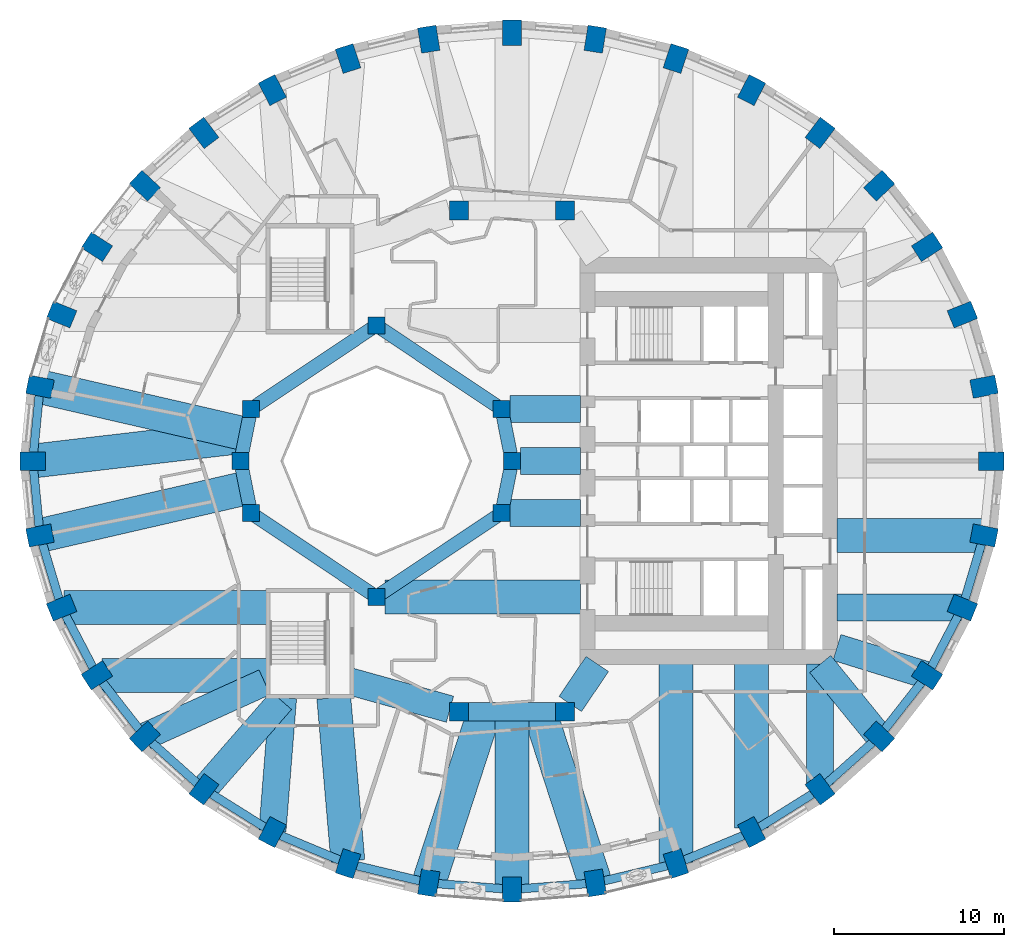
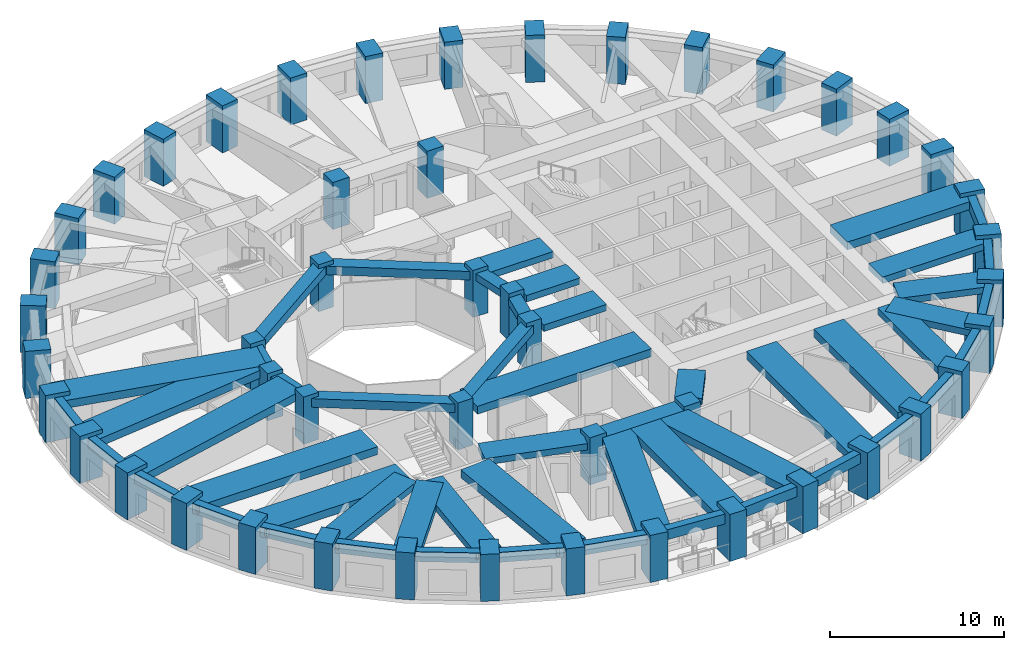
# One storey, part 1 of 13: 52 beams, 48 columns.
"""IFC4 building model written with IfcOpenShell, lengths in metres."""

from ifc_helpers import new_model, si_unit, direction, frame, origin, origin_2d, place, context, subcontext, project, spatial, rectangle, extrude, material, material_profile, profile_set, type_object, element, save


model = new_model("IFC4")

# Units and contexts
model_context = context("Model", 3, precision=1e-05, world=origin(), true_north=direction((0.0, 1.0)))
body_context = subcontext(model_context, "Body", "Model", "MODEL_VIEW")
ifc_project = project(units=[si_unit("LENGTHUNIT", "METRE"), si_unit("AREAUNIT", "SQUARE_METRE"), si_unit("VOLUMEUNIT", "CUBIC_METRE"), si_unit("PLANEANGLEUNIT", "RADIAN"), si_unit("MASSUNIT", "GRAM", prefix="KILO")], contexts=[model_context])

# Site, building, storey
site_placement = place(None, origin())
site = spatial("IfcSite", under=ifc_project, at=site_placement, CompositionType="ELEMENT")
building_placement = place(site_placement, origin())
building = spatial("IfcBuilding", under=site, at=building_placement, Name="Taillehof Tower", CompositionType="ELEMENT")
storey_placement = place(building_placement, frame((0.0, 0.0, 34.89990234375)))
storey = spatial("IfcBuildingStorey", under=building, at=storey_placement, Name="L08", CompositionType="ELEMENT", Elevation=34.89990234375)

# Columns
ifc_material_1 = material(Name="Concrete C50/60", Category="concrete")
ifc_material_profile_1 = material_profile(ifc_material_1, rectangle(XDim=1.0, YDim=1.0, at=origin_2d()), Name="RC 1000x1000")
ifc_profile_set_1 = profile_set([ifc_material_profile_1], Name="Concrete C50/60")
column_type_1 = type_object("IfcColumnType", Name="Atrium ring column C50/60 1000x1000", PredefinedType="COLUMN", material=ifc_profile_set_1)
for number, where, z_axis, x_axis, name in (
    (1, (0.0, 0.0, 0.0), (0.0, 0.0, 1.0), (1.0, 0.0, 0.0), "Column AC01"),
    (2, (-8.0, 8.0, 0.0), (0.0, 0.0, 1.0), (1.0, 0.0, 0.0), "Column AC05"),
    (3, (-15.39111328125, 3.0615234375, 0.0), (0.0, 0.0, 1.0), (1.0, 0.0, 0.0), "Column AC08"),
    (4, (-16.0, 0.0, 0.0), (0.0, 0.0, 1.0), (1.0, 0.0, 0.0), "Column AC09"),
    (5, (-15.39111328125, -3.0615234375, 0.0), (0.0, 0.0, 1.0), (1.0, 0.0, 0.0), "Column AC10"),
    (6, (-8.0, -8.0, 0.0), (0.0, 0.0, 1.0), (1.0, 0.0, 0.0), "Column AC13"),
):
    element("IfcColumn", number, at=place(storey_placement, frame(where, z_axis=z_axis, x_axis=x_axis)), inside=storey, type_object=column_type_1, Name=name, PredefinedType="COLUMN", context=body_context, shape_type="SweptSolid", body=[
        extrude(rectangle(XDim=1.0, YDim=1.0, at=origin_2d()), origin(), (0.0, 0.0, 1.0), 3.300048828125),
    ])
ifc_material_2 = material(Name="Concrete C60/75", Category="concrete")
ifc_material_profile_2 = material_profile(ifc_material_2, rectangle(XDim=1.0, YDim=1.0, at=origin_2d()), Name="RC 1000x1000")
ifc_profile_set_2 = profile_set([ifc_material_profile_2], Name="Concrete C60/75")
column_type_2 = type_object("IfcColumnType", Name="Atrium ring column C60/75 1000x1000", PredefinedType="COLUMN", material=ifc_profile_set_2)
for number, where, z_axis, x_axis, name in (
    (7, (-0.60888671875, 3.0615234375, 0.0), (0.0, 0.0, 1.0), (1.0, 0.0, 0.0), "Column AC02"),
    (8, (-0.60888671875, -3.0615234375, 0.0), (0.0, 0.0, 1.0), (1.0, 0.0, 0.0), "Column AC16"),
):
    element("IfcColumn", number, at=place(storey_placement, frame(where, z_axis=z_axis, x_axis=x_axis)), inside=storey, type_object=column_type_2, Name=name, PredefinedType="COLUMN", context=body_context, shape_type="SweptSolid", body=[
        extrude(rectangle(XDim=1.0, YDim=1.0, at=origin_2d()), origin(), (0.0, 0.0, 1.0), 3.300048828125),
    ])
ifc_material_3 = material(Name="Concrete C60/75", Category="concrete")
ifc_material_profile_3 = material_profile(ifc_material_3, rectangle(XDim=1.10009765625, YDim=1.10009765625, at=origin_2d()), Name="RC 1100x1100")
ifc_profile_set_3 = profile_set([ifc_material_profile_3], Name="Concrete C60/75")
column_type_3 = type_object("IfcColumnType", Name="Mid-ring column C60/75 1100x1100", PredefinedType="COLUMN", material=ifc_profile_set_3)
for number, where, z_axis, x_axis, name in (
    (9, (3.125732421875, 14.772216796875, 0.0), (0.0, 0.0, 1.0), (1.0, 0.0, 0.0), "Column MC05"),
    (10, (3.125732421875, -14.772216796875, 0.0), (0.0, 0.0, 1.0), (1.0, 0.0, 0.0), "Column MC15"),
):
    element("IfcColumn", number, at=place(storey_placement, frame(where, z_axis=z_axis, x_axis=x_axis)), inside=storey, type_object=column_type_3, Name=name, PredefinedType="COLUMN", context=body_context, shape_type="SweptSolid", body=[
        extrude(rectangle(XDim=1.10009765625, YDim=1.10009765625, at=origin_2d()), origin(), (0.0, 0.0, 1.0), 3.300048828125),
    ])
ifc_material_4 = material(Name="Concrete C80/95", Category="concrete")
ifc_material_profile_4 = material_profile(ifc_material_4, rectangle(XDim=1.10009765625, YDim=1.10009765625, at=origin_2d()), Name="RC 1100x1100")
ifc_profile_set_4 = profile_set([ifc_material_profile_4], Name="Concrete C80/95")
column_type_4 = type_object("IfcColumnType", Name="Mid-ring column C80/95 1100x1100", PredefinedType="COLUMN", material=ifc_profile_set_4)
for number, where, z_axis, x_axis, name in (
    (11, (-3.125732421875, 14.772216796875, 0.0), (0.0, 0.0, 1.0), (1.0, 0.0, 0.0), "Column MC06"),
    (12, (-3.125732421875, -14.772216796875, 0.0), (0.0, 0.0, 1.0), (1.0, 0.0, 0.0), "Column MC14"),
):
    element("IfcColumn", number, at=place(storey_placement, frame(where, z_axis=z_axis, x_axis=x_axis)), inside=storey, type_object=column_type_4, Name=name, PredefinedType="COLUMN", context=body_context, shape_type="SweptSolid", body=[
        extrude(rectangle(XDim=1.10009765625, YDim=1.10009765625, at=origin_2d()), origin(), (0.0, 0.0, 1.0), 3.300048828125),
    ])
ifc_material_5 = material(Name="Concrete C70/85", Category="concrete")
ifc_material_profile_5 = material_profile(ifc_material_5, rectangle(XDim=1.5, YDim=1.10009765625, at=origin_2d()), Name="RC 1500x1100")
ifc_profile_set_5 = profile_set([ifc_material_profile_5], Name="Concrete C70/85")
column_type_5 = type_object("IfcColumnType", Name="Ring column C70/85 1500x1100", PredefinedType="COLUMN", material=ifc_profile_set_5)
for number, where, z_axis, x_axis, name in (
    (13, (28.25, 0.0, 0.0), (0.0, 0.0, 1.0), (1.0, 0.0, 0.0), "Ring column RC01"),
    (14, (27.82080078125, 4.384521484375, 0.0), (0.0, 0.0, 1.0), (0.98120354895, 0.192975634545, 0.0), "Ring column RC02"),
    (15, (26.54638671875, 8.635986328125, 0.0), (0.0, 0.0, 1.0), (0.926558045297, 0.37615181602, 0.0), "Ring column RC03"),
    (16, (24.46533203125, 12.625, 0.0), (0.0, 0.0, 1.0), (0.840753565229, 0.541417992456, 0.0), "Ring column RC04"),
    (17, (21.640869140625, 16.23046875, 0.0), (0.0, 0.0, 1.0), (0.730113022917, 0.683326403535, 0.0), "Ring column RC05"),
    (18, (18.15869140625, 19.342529296875, 0.0), (0.0, 0.0, 1.0), (0.601173783055, 0.79911831575, 0.0), "Ring column RC06"),
    (19, (14.125, 21.8671875, 0.0), (0.0, 0.0, 1.0), (0.459691308511, 0.888078769524, 0.0), "Ring column RC07"),
    (20, (9.662109375, 23.727294921875, 0.0), (0.0, 0.0, 1.0), (0.310219183529, 0.950665060981, 0.0), "Ring column RC08"),
    (21, (4.905517578125, 24.866455078125, 0.0), (0.0, 0.0, 1.0), (0.15614709407, 0.987733812833, 0.0), "Ring column RC09"),
    (22, (0.0, 25.25, 0.0), (0.0, 0.0, 1.0), (0.0, 1.0, 0.0), "Ring column RC10"),
    (23, (-4.905517578125, 24.866455078125, 0.0), (0.0, 0.0, 1.0), (-0.15614709407, 0.987733812833, 0.0), "Ring column RC11"),
    (24, (-9.662109375, 23.727294921875, 0.0), (0.0, 0.0, 1.0), (-0.310219183529, 0.950665060981, 0.0), "Ring column RC12"),
    (25, (-14.125, 21.8671875, 0.0), (0.0, 0.0, 1.0), (-0.459691308511, 0.888078769524, 0.0), "Ring column RC13"),
    (26, (-18.15869140625, 19.342529296875, 0.0), (0.0, 0.0, 1.0), (-0.601173783055, 0.79911831575, 0.0), "Ring column RC14"),
    (27, (-21.640869140625, 16.23046875, 0.0), (0.0, 0.0, 1.0), (-0.730113022917, 0.683326403535, 0.0), "Ring column RC15"),
    (28, (-24.46533203125, 12.625, 0.0), (0.0, 0.0, 1.0), (-0.840753565229, 0.541417992456, 0.0), "Ring column RC16"),
    (29, (-26.54638671875, 8.635986328125, 0.0), (0.0, 0.0, 1.0), (-0.926558045297, 0.37615181602, 0.0), "Ring column RC17"),
    (30, (-27.82080078125, 4.384521484375, 0.0), (0.0, 0.0, 1.0), (-0.98120354895, 0.192975634545, 0.0), "Ring column RC18"),
    (31, (-28.25, 0.0, 0.0), (0.0, 0.0, 1.0), (-1.0, 0.0, 0.0), "Ring column RC19"),
    (32, (-27.82080078125, -4.384521484375, 0.0), (0.0, 0.0, 1.0), (-0.98120354895, -0.192975634545, 0.0), "Ring column RC20"),
    (33, (-26.54638671875, -8.635986328125, 0.0), (0.0, 0.0, 1.0), (-0.926558045297, -0.37615181602, 0.0), "Ring column RC21"),
    (34, (-24.46533203125, -12.625, 0.0), (0.0, 0.0, 1.0), (-0.840753565229, -0.541417992456, 0.0), "Ring column RC22"),
    (35, (-21.640869140625, -16.23046875, 0.0), (0.0, 0.0, 1.0), (-0.730113022917, -0.683326403535, 0.0), "Ring column RC23"),
    (36, (-18.15869140625, -19.342529296875, 0.0), (0.0, 0.0, 1.0), (-0.601173783055, -0.79911831575, 0.0), "Ring column RC24"),
    (37, (-14.125, -21.8671875, 0.0), (0.0, 0.0, 1.0), (-0.459691308511, -0.888078769524, 0.0), "Ring column RC25"),
    (38, (-9.662109375, -23.727294921875, 0.0), (0.0, 0.0, 1.0), (-0.310219183529, -0.950665060981, 0.0), "Ring column RC26"),
    (39, (-4.905517578125, -24.866455078125, 0.0), (0.0, 0.0, 1.0), (-0.15614709407, -0.987733812833, 0.0), "Ring column RC27"),
    (40, (0.0, -25.25, 0.0), (0.0, 0.0, 1.0), (0.0, -1.0, 0.0), "Ring column RC28"),
    (41, (4.905517578125, -24.866455078125, 0.0), (0.0, 0.0, 1.0), (0.15614709407, -0.987733812833, 0.0), "Ring column RC29"),
    (42, (9.662109375, -23.727294921875, 0.0), (0.0, 0.0, 1.0), (0.310219183529, -0.950665060981, 0.0), "Ring column RC30"),
    (43, (14.125, -21.8671875, 0.0), (0.0, 0.0, 1.0), (0.459691308511, -0.888078769524, 0.0), "Ring column RC31"),
    (44, (18.15869140625, -19.342529296875, 0.0), (0.0, 0.0, 1.0), (0.601173783055, -0.79911831575, 0.0), "Ring column RC32"),
    (45, (21.640869140625, -16.23046875, 0.0), (0.0, 0.0, 1.0), (0.730113022917, -0.683326403535, 0.0), "Ring column RC33"),
    (46, (24.46533203125, -12.625, 0.0), (0.0, 0.0, 1.0), (0.840753565229, -0.541417992456, 0.0), "Ring column RC34"),
    (47, (26.54638671875, -8.635986328125, 0.0), (0.0, 0.0, 1.0), (0.926558045297, -0.37615181602, 0.0), "Ring column RC35"),
    (48, (27.82080078125, -4.384521484375, 0.0), (0.0, 0.0, 1.0), (0.98120354895, -0.192975634545, 0.0), "Ring column RC36"),
):
    element("IfcColumn", number, at=place(storey_placement, frame(where, z_axis=z_axis, x_axis=x_axis)), inside=storey, type_object=column_type_5, Name=name, PredefinedType="COLUMN", context=body_context, shape_type="SweptSolid", body=[
        extrude(rectangle(XDim=1.5, YDim=1.10009765625, at=origin_2d()), origin(), (0.0, 0.0, 1.0), 3.300048828125),
    ])

# Beams
ifc_material_6 = material(Name="Concrete C50/60", Category="concrete")
ifc_material_profile_6 = material_profile(ifc_material_6, rectangle(XDim=0.800048828125, YDim=0.5, at=origin_2d()), Name="RC 800x500")
ifc_profile_set_6 = profile_set([ifc_material_profile_6], Name="Concrete C50/60")
beam_type_1 = type_object("IfcBeamType", Name="Atrium ring beam C50/60 800x500", PredefinedType="BEAM", material=ifc_profile_set_6)
for number, where, z_axis, x_axis, name in (
    (49, (0.0, 0.0, 2.77001953125), (-0.195063155143, 0.980790683839, 0.0), (-0.980790683839, -0.195063155143, 0.0), "Atrium ring beam AB01"),
    (50, (-15.39111328125, 3.0615234375, 2.77001953125), (-0.195063155143, -0.980790683839, 0.0), (0.980790683839, -0.195063155143, 0.0), "Atrium ring beam AB04"),
    (51, (-16.0, 0.0, 2.77001953125), (0.195063155143, -0.980790683839, 0.0), (0.980790683839, 0.195063155143, 0.0), "Atrium ring beam AB05"),
    (52, (-0.60888671875, -3.0615234375, 2.77001953125), (0.195063155143, 0.980790683839, 0.0), (-0.980790683839, 0.195063155143, 0.0), "Atrium ring beam AB08"),
):
    element("IfcBeam", number, at=place(storey_placement, frame(where, z_axis=z_axis, x_axis=x_axis)), inside=storey, type_object=beam_type_1, Name=name, PredefinedType="BEAM", context=body_context, shape_type="SweptSolid", body=[
        extrude(rectangle(XDim=0.800048828125, YDim=0.5, at=origin_2d()), origin(), (0.0, 0.0, 1.0), 3.12158203125),
    ])
ifc_material_7 = material(Name="Concrete C50/60", Category="concrete")
ifc_material_profile_7 = material_profile(ifc_material_7, rectangle(XDim=0.800048828125, YDim=0.60009765625, at=origin_2d()), Name="RC 800x600")
ifc_profile_set_7 = profile_set([ifc_material_profile_7], Name="Concrete C50/60")
beam_type_2 = type_object("IfcBeamType", Name="Atrium ring beam C50/60 800x600", PredefinedType="BEAM", material=ifc_profile_set_7)
for number, where, z_axis, x_axis, name in (
    (53, (-0.60888671875, 3.0615234375, 2.72021484375), (-0.831475195687, 0.555561876804, 0.0), (-0.555561876804, -0.831475195687, 0.0), "Atrium ring beam AB02"),
    (54, (-8.0, 8.0, 2.72021484375), (-0.831475195687, -0.555561876804, 0.0), (0.555561876804, -0.831475195687, 0.0), "Atrium ring beam AB03"),
    (55, (-15.39111328125, -3.0615234375, 2.72021484375), (0.831475195687, -0.555561876804, 0.0), (0.555561876804, 0.831475195687, 0.0), "Atrium ring beam AB06"),
    (56, (-8.0, -8.0, 2.72021484375), (0.831475195687, 0.555561876804, 0.0), (-0.555561876804, 0.831475195687, 0.0), "Atrium ring beam AB07"),
):
    element("IfcBeam", number, at=place(storey_placement, frame(where, z_axis=z_axis, x_axis=x_axis)), inside=storey, type_object=beam_type_2, Name=name, PredefinedType="BEAM", context=body_context, shape_type="SweptSolid", body=[
        extrude(rectangle(XDim=0.800048828125, YDim=0.60009765625, at=origin_2d()), origin(), (0.0, 0.0, 1.0), 8.88916015625),
    ])
ifc_material_8 = material(Name="Concrete C50/60", Category="concrete")
ifc_material_profile_8 = material_profile(ifc_material_8, rectangle(XDim=1.10009765625, YDim=0.60009765625, at=origin_2d()), Name="RC 1100x600")
ifc_profile_set_8 = profile_set([ifc_material_profile_8], Name="Concrete C50/60")
beam_type_3 = type_object("IfcBeamType", Name="Mid-ring beam C50/60 1100x600", PredefinedType="BEAM", material=ifc_profile_set_8)
beam_1_placement = place(storey_placement, frame((-3.125732421875, -14.772216796875, 2.72021484375), z_axis=(1.0, 0.0, 0.0), x_axis=(0.0, 1.0, 0.0)))
element("IfcBeam", 57, at=beam_1_placement, inside=storey, type_object=beam_type_3, Name="Mid-ring beam MB02", PredefinedType="BEAM", context=body_context, shape_type="SweptSolid", body=[
    extrude(rectangle(XDim=1.10009765625, YDim=0.60009765625, at=origin_2d()), origin(), (0.0, 0.0, 1.0), 6.25146484375),
])
ifc_material_9 = material(Name="Concrete C50/60", Category="concrete")
ifc_material_profile_9 = material_profile(ifc_material_9, rectangle(XDim=1.60009765625, YDim=0.449951171875, at=origin_2d()), Name="RC 1600x450")
ifc_profile_set_9 = profile_set([ifc_material_profile_9], Name="Concrete C50/60")
beam_type_4 = type_object("IfcBeamType", Name="Radial band beam C50/60 1600x450", PredefinedType="BEAM", material=ifc_profile_set_9)
beam_2_placement = place(storey_placement, frame((-21.632568359375, -16.226806640625, 2.795166015625), z_axis=(0.911100590789, 0.412184077161, 0.0), x_axis=(-0.412184077161, 0.911100590789, 0.0)))
element("IfcBeam", 58, at=beam_2_placement, inside=storey, type_object=beam_type_4, Name="Radial band beam RB23", PredefinedType="BEAM", context=body_context, shape_type="SweptSolid", body=[
    extrude(rectangle(XDim=1.60009765625, YDim=0.449951171875, at=origin_2d()), origin(), (0.0, 0.0, 1.0), 7.740966796875),
])
beam_3_placement = place(storey_placement, frame((-18.15869140625, -19.342529296875, 2.795166015625), z_axis=(0.65721824087, 0.753700327628, 0.0), x_axis=(-0.753700327628, 0.65721824087, 0.0)))
element("IfcBeam", 59, at=beam_3_placement, inside=storey, type_object=beam_type_4, Name="Radial band beam RB24", PredefinedType="BEAM", context=body_context, shape_type="SweptSolid", body=[
    extrude(rectangle(XDim=1.60009765625, YDim=0.449951171875, at=origin_2d()), origin(), (0.0, 0.0, 1.0), 6.9384765625),
])
beam_4_placement = place(storey_placement, frame((-14.119873046875, -21.802978515625, 2.795166015625), z_axis=(0.079184740988, 0.996859958467, 0.0), x_axis=(-0.996859958467, 0.079184740988, 0.0)))
element("IfcBeam", 60, at=beam_4_placement, inside=storey, type_object=beam_type_4, Name="Radial band beam RB25", PredefinedType="BEAM", context=body_context, shape_type="SweptSolid", body=[
    extrude(rectangle(XDim=1.60009765625, YDim=0.449951171875, at=origin_2d()), origin(), (0.0, 0.0, 1.0), 7.87744140625),
])
beam_5_placement = place(storey_placement, frame((18.15869140625, -19.05517578125, 2.795166015625), z_axis=(0.0, 1.0, 0.0), x_axis=(-1.0, 0.0, 0.0)))
element("IfcBeam", 61, at=beam_5_placement, inside=storey, type_object=beam_type_4, Name="Radial band beam RB32", PredefinedType="BEAM", context=body_context, shape_type="SweptSolid", body=[
    extrude(rectangle(XDim=1.60009765625, YDim=0.449951171875, at=origin_2d()), origin(), (0.0, 0.0, 1.0), 7.105224609375),
])
beam_6_placement = place(storey_placement, frame((21.640869140625, -16.23046875, 2.795166015625), z_axis=(-0.630988373846, 0.775792286679, 0.0), x_axis=(-0.775792286679, -0.630988373846, 0.0)))
element("IfcBeam", 62, at=beam_6_placement, inside=storey, type_object=beam_type_4, Name="Radial band beam RB33", PredefinedType="BEAM", context=body_context, shape_type="SweptSolid", body=[
    extrude(rectangle(XDim=1.60009765625, YDim=0.449951171875, at=origin_2d()), origin(), (0.0, 0.0, 1.0), 5.503173828125),
])
beam_7_placement = place(storey_placement, frame((24.46533203125, -12.625, 2.795166015625), z_axis=(-0.955535654338, 0.294875589511, 0.0), x_axis=(-0.294875589511, -0.955535654338, 0.0)))
element("IfcBeam", 63, at=beam_7_placement, inside=storey, type_object=beam_type_4, Name="Radial band beam RB34", PredefinedType="BEAM", context=body_context, shape_type="SweptSolid", body=[
    extrude(rectangle(XDim=1.60009765625, YDim=0.449951171875, at=origin_2d()), origin(), (0.0, 0.0, 1.0), 5.560546875),
])
beam_8_placement = place(storey_placement, frame((26.490478515625, -8.635986328125, 2.795166015625), z_axis=(-1.0, 0.0, 0.0), x_axis=(0.0, -1.0, 0.0)))
element("IfcBeam", 64, at=beam_8_placement, inside=storey, type_object=beam_type_4, Name="Radial band beam RB35", PredefinedType="BEAM", context=body_context, shape_type="SweptSolid", body=[
    extrude(rectangle(XDim=1.60009765625, YDim=0.449951171875, at=origin_2d()), origin(), (0.0, 0.0, 1.0), 7.340576171875),
])
beam_9_placement = place(storey_placement, frame((0.5, 0.0, 2.795166015625), z_axis=(1.0, 0.0, 0.0), x_axis=(0.0, 1.0, 0.0)))
element("IfcBeam", 65, at=beam_9_placement, inside=storey, type_object=beam_type_4, Name="Inner band beam IB101", PredefinedType="BEAM", context=body_context, shape_type="SweptSolid", body=[
    extrude(rectangle(XDim=1.60009765625, YDim=0.449951171875, at=origin_2d()), origin(), (0.0, 0.0, 1.0), 3.550048828125),
])
for number, where, z_axis, x_axis, name in (
    (66, (-0.10888671875, 3.0615234375, 2.795166015625), (1.0, 0.0, 0.0), (0.0, 1.0, 0.0), "Inner band beam IB102"),
    (67, (-0.10888671875, -3.0615234375, 2.795166015625), (1.0, 0.0, 0.0), (0.0, 1.0, 0.0), "Inner band beam IB116"),
):
    element("IfcBeam", number, at=place(storey_placement, frame(where, z_axis=z_axis, x_axis=x_axis)), inside=storey, type_object=beam_type_4, Name=name, PredefinedType="BEAM", context=body_context, shape_type="SweptSolid", body=[
        extrude(rectangle(XDim=1.60009765625, YDim=0.449951171875, at=origin_2d()), origin(), (0.0, 0.0, 1.0), 4.158935546875),
    ])
beam_10_placement = place(storey_placement, frame((-3.655517578125, -14.624755859375, 2.795166015625), z_axis=(-0.963459369536, 0.267854518821, 0.0), x_axis=(-0.267854518821, -0.963459369536, 0.0)))
element("IfcBeam", 68, at=beam_10_placement, inside=storey, type_object=beam_type_4, Name="Inner band beam IB214", PredefinedType="BEAM", context=body_context, shape_type="SweptSolid", body=[
    extrude(rectangle(XDim=1.60009765625, YDim=0.449951171875, at=origin_2d()), origin(), (0.0, 0.0, 1.0), 6.096923828125),
])
beam_11_placement = place(storey_placement, frame((3.433837890625, -14.31640625, 2.795166015625), z_axis=(0.560112043398, 0.828416862962, 0.0), x_axis=(-0.828416862962, 0.560112043398, 0.0)))
element("IfcBeam", 69, at=beam_11_placement, inside=storey, type_object=beam_type_4, Name="Inner band beam IB215", PredefinedType="BEAM", context=body_context, shape_type="SweptSolid", body=[
    extrude(rectangle(XDim=1.60009765625, YDim=0.449951171875, at=origin_2d()), origin(), (0.0, 0.0, 1.0), 2.84619140625),
])
ifc_material_10 = material(Name="Concrete C50/60", Category="concrete")
ifc_material_profile_10 = material_profile(ifc_material_10, rectangle(XDim=2.0, YDim=0.550048828125, at=origin_2d()), Name="RC 2000x550")
ifc_profile_set_10 = profile_set([ifc_material_profile_10], Name="Concrete C50/60")
beam_type_5 = type_object("IfcBeamType", Name="Radial band beam C50/60 2000x550", PredefinedType="BEAM", material=ifc_profile_set_10)
beam_12_placement = place(storey_placement, frame((-27.82080078125, 4.384521484375, 2.7451171875), z_axis=(0.974509005862, -0.2243483842, 0.0), x_axis=(0.2243483842, 0.974509005862, 0.0)))
element("IfcBeam", 70, at=beam_12_placement, inside=storey, type_object=beam_type_5, Name="Radial band beam RB18", PredefinedType="BEAM", context=body_context, shape_type="SweptSolid", body=[
    extrude(rectangle(XDim=2.0, YDim=0.550048828125, at=origin_2d()), origin(), (0.0, 0.0, 1.0), 12.45458984375),
])
beam_13_placement = place(storey_placement, frame((-28.25, 0.0, 2.7451171875), z_axis=(0.993191188018, 0.11649576835, 0.0), x_axis=(-0.11649576835, 0.993191188018, 0.0)))
element("IfcBeam", 71, at=beam_13_placement, inside=storey, type_object=beam_type_5, Name="Radial band beam RB19", PredefinedType="BEAM", context=body_context, shape_type="SweptSolid", body=[
    extrude(rectangle(XDim=2.0, YDim=0.550048828125, at=origin_2d()), origin(), (0.0, 0.0, 1.0), 12.628662109375),
])
beam_14_placement = place(storey_placement, frame((-27.82080078125, -4.384521484375, 2.7451171875), z_axis=(0.974509005862, 0.2243483842, 0.0), x_axis=(-0.2243483842, 0.974509005862, 0.0)))
element("IfcBeam", 72, at=beam_14_placement, inside=storey, type_object=beam_type_5, Name="Radial band beam RB20", PredefinedType="BEAM", context=body_context, shape_type="SweptSolid", body=[
    extrude(rectangle(XDim=2.0, YDim=0.550048828125, at=origin_2d()), origin(), (0.0, 0.0, 1.0), 12.45458984375),
])
beam_15_placement = place(storey_placement, frame((-26.408935546875, -8.635986328125, 2.7451171875), z_axis=(1.0, 0.0, 0.0), x_axis=(0.0, 1.0, 0.0)))
element("IfcBeam", 73, at=beam_15_placement, inside=storey, type_object=beam_type_5, Name="Radial band beam RB21", PredefinedType="BEAM", context=body_context, shape_type="SweptSolid", body=[
    extrude(rectangle(XDim=2.0, YDim=0.550048828125, at=origin_2d()), origin(), (0.0, 0.0, 1.0), 11.958984375),
])
beam_16_placement = place(storey_placement, frame((-24.172607421875, -12.625, 2.7451171875), z_axis=(1.0, 0.0, 0.0), x_axis=(0.0, 1.0, 0.0)))
element("IfcBeam", 74, at=beam_16_placement, inside=storey, type_object=beam_type_5, Name="Radial band beam RB22", PredefinedType="BEAM", context=body_context, shape_type="SweptSolid", body=[
    extrude(rectangle(XDim=2.0, YDim=0.550048828125, at=origin_2d()), origin(), (0.0, 0.0, 1.0), 9.72265625),
])
beam_17_placement = place(storey_placement, frame((-9.675048828125, -23.575927734375, 2.7451171875), z_axis=(-0.085841202752, 0.996308831593, 0.0), x_axis=(-0.996308831593, -0.085841202752, 0.0)))
element("IfcBeam", 75, at=beam_17_placement, inside=storey, type_object=beam_type_5, Name="Radial band beam RB26", PredefinedType="BEAM", context=body_context, shape_type="SweptSolid", body=[
    extrude(rectangle(XDim=2.0, YDim=0.550048828125, at=origin_2d()), origin(), (0.0, 0.0, 1.0), 9.661376953125),
])
beam_18_placement = place(storey_placement, frame((-4.905517578125, -24.866455078125, 2.7451171875), z_axis=(0.309014294595, 0.951057393503, 0.0), x_axis=(-0.951057393503, 0.309014294595, 0.0)))
element("IfcBeam", 76, at=beam_18_placement, inside=storey, type_object=beam_type_5, Name="Radial band beam RB27", PredefinedType="BEAM", context=body_context, shape_type="SweptSolid", body=[
    extrude(rectangle(XDim=2.0, YDim=0.550048828125, at=origin_2d()), origin(), (0.0, 0.0, 1.0), 10.61376953125),
])
beam_19_placement = place(storey_placement, frame((0.0, -25.25, 2.7451171875), z_axis=(0.0, 1.0, 0.0), x_axis=(-1.0, 0.0, 0.0)))
element("IfcBeam", 77, at=beam_19_placement, inside=storey, type_object=beam_type_5, Name="Radial band beam RB28", PredefinedType="BEAM", context=body_context, shape_type="SweptSolid", body=[
    extrude(rectangle(XDim=2.0, YDim=0.550048828125, at=origin_2d()), origin(), (0.0, 0.0, 1.0), 10.477783203125),
])
beam_20_placement = place(storey_placement, frame((4.905517578125, -24.866455078125, 2.7451171875), z_axis=(-0.309014294595, 0.951057393503, 0.0), x_axis=(-0.951057393503, -0.309014294595, 0.0)))
element("IfcBeam", 78, at=beam_20_placement, inside=storey, type_object=beam_type_5, Name="Radial band beam RB29", PredefinedType="BEAM", context=body_context, shape_type="SweptSolid", body=[
    extrude(rectangle(XDim=2.0, YDim=0.550048828125, at=origin_2d()), origin(), (0.0, 0.0, 1.0), 10.61376953125),
])
beam_21_placement = place(storey_placement, frame((9.662109375, -23.664794921875, 2.7451171875), z_axis=(0.0, 1.0, 0.0), x_axis=(-1.0, 0.0, 0.0)))
element("IfcBeam", 79, at=beam_21_placement, inside=storey, type_object=beam_type_5, Name="Radial band beam RB30", PredefinedType="BEAM", context=body_context, shape_type="SweptSolid", body=[
    extrude(rectangle(XDim=2.0, YDim=0.550048828125, at=origin_2d()), origin(), (0.0, 0.0, 1.0), 11.71484375),
])
beam_22_placement = place(storey_placement, frame((14.125, -21.63232421875, 2.7451171875), z_axis=(0.0, 1.0, 0.0), x_axis=(-1.0, 0.0, 0.0)))
element("IfcBeam", 80, at=beam_22_placement, inside=storey, type_object=beam_type_5, Name="Radial band beam RB31", PredefinedType="BEAM", context=body_context, shape_type="SweptSolid", body=[
    extrude(rectangle(XDim=2.0, YDim=0.550048828125, at=origin_2d()), origin(), (0.0, 0.0, 1.0), 9.682373046875),
])
beam_23_placement = place(storey_placement, frame((27.82080078125, -4.384521484375, 2.7451171875), z_axis=(-1.0, 0.0, 0.0), x_axis=(0.0, -1.0, 0.0)))
element("IfcBeam", 81, at=beam_23_placement, inside=storey, type_object=beam_type_5, Name="Radial band beam RB36", PredefinedType="BEAM", context=body_context, shape_type="SweptSolid", body=[
    extrude(rectangle(XDim=2.0, YDim=0.550048828125, at=origin_2d()), origin(), (0.0, 0.0, 1.0), 8.6708984375),
])
beam_24_placement = place(storey_placement, frame((-7.5, -8.0, 2.7451171875), z_axis=(1.0, 0.0, 0.0), x_axis=(0.0, 1.0, 0.0)))
element("IfcBeam", 82, at=beam_24_placement, inside=storey, type_object=beam_type_5, Name="Inner band beam IB113", PredefinedType="BEAM", context=body_context, shape_type="SweptSolid", body=[
    extrude(rectangle(XDim=2.0, YDim=0.550048828125, at=origin_2d()), origin(), (0.0, 0.0, 1.0), 11.550048828125),
])
ifc_material_11 = material(Name="Concrete C50/60", Category="concrete")
ifc_material_profile_11 = material_profile(ifc_material_11, rectangle(XDim=0.5, YDim=0.699951171875, at=origin_2d()), Name="RC 500x700")
ifc_profile_set_11 = profile_set([ifc_material_profile_11], Name="Concrete C50/60")
beam_type_6 = type_object("IfcBeamType", Name="Spandrel beam C50/60 500x700", PredefinedType="SPANDREL", material=ifc_profile_set_11)
for number, where, z_axis, x_axis, name in (
    (83, (-27.82080078125, 4.384521484375, 2.670166015625), (-0.097423973567, -0.99524297002, 0.0), (0.99524297002, -0.097423973567, 0.0), "Spandrel beam SB18"),
    (84, (-28.25, 0.0, 2.670166015625), (0.097423973567, -0.99524297002, 0.0), (0.99524297002, 0.097423973567, 0.0), "Spandrel beam SB19"),
):
    element("IfcBeam", number, at=place(storey_placement, frame(where, z_axis=z_axis, x_axis=x_axis)), inside=storey, type_object=beam_type_6, Name=name, PredefinedType="SPANDREL", context=body_context, shape_type="SweptSolid", body=[
        extrude(rectangle(XDim=0.5, YDim=0.699951171875, at=origin_2d()), origin(), (0.0, 0.0, 1.0), 4.405517578125),
    ])
beam_25_placement = place(storey_placement, frame((-27.82080078125, -4.384521484375, 2.670166015625), z_axis=(0.287135925407, -0.957889847707, 0.0), x_axis=(0.957889847707, 0.287135925407, 0.0)))
element("IfcBeam", 85, at=beam_25_placement, inside=storey, type_object=beam_type_6, Name="Spandrel beam SB20", PredefinedType="SPANDREL", context=body_context, shape_type="SweptSolid", body=[
    extrude(rectangle(XDim=0.5, YDim=0.699951171875, at=origin_2d()), origin(), (0.0, 0.0, 1.0), 4.4384765625),
])
beam_26_placement = place(storey_placement, frame((-26.54638671875, -8.635986328125, 2.670166015625), z_axis=(0.462536335232, -0.886600326297, 0.0), x_axis=(0.886600326297, 0.462536335232, 0.0)))
element("IfcBeam", 86, at=beam_26_placement, inside=storey, type_object=beam_type_6, Name="Spandrel beam SB21", PredefinedType="SPANDREL", context=body_context, shape_type="SweptSolid", body=[
    extrude(rectangle(XDim=0.5, YDim=0.699951171875, at=origin_2d()), origin(), (0.0, 0.0, 1.0), 4.499267578125),
])
beam_27_placement = place(storey_placement, frame((-24.46533203125, -12.625, 2.670166015625), z_axis=(0.616686200373, -0.787209076593, 0.0), x_axis=(0.787209076593, 0.616686200373, 0.0)))
element("IfcBeam", 87, at=beam_27_placement, inside=storey, type_object=beam_type_6, Name="Spandrel beam SB22", PredefinedType="SPANDREL", context=body_context, shape_type="SweptSolid", body=[
    extrude(rectangle(XDim=0.5, YDim=0.699951171875, at=origin_2d()), origin(), (0.0, 0.0, 1.0), 4.580078125),
])
beam_28_placement = place(storey_placement, frame((-21.640869140625, -16.23046875, 2.670166015625), z_axis=(0.745621283614, -0.666369943366, 0.0), x_axis=(0.666369943366, 0.745621283614, 0.0)))
element("IfcBeam", 88, at=beam_28_placement, inside=storey, type_object=beam_type_6, Name="Spandrel beam SB23", PredefinedType="SPANDREL", context=body_context, shape_type="SweptSolid", body=[
    extrude(rectangle(XDim=0.5, YDim=0.699951171875, at=origin_2d()), origin(), (0.0, 0.0, 1.0), 4.670166015625),
])
beam_29_placement = place(storey_placement, frame((-18.15869140625, -19.342529296875, 2.670166015625), z_axis=(0.847658018883, -0.530543007703, 0.0), x_axis=(0.530543007703, 0.847658018883, 0.0)))
element("IfcBeam", 89, at=beam_29_placement, inside=storey, type_object=beam_type_6, Name="Spandrel beam SB24", PredefinedType="SPANDREL", context=body_context, shape_type="SweptSolid", body=[
    extrude(rectangle(XDim=0.5, YDim=0.699951171875, at=origin_2d()), origin(), (0.0, 0.0, 1.0), 4.758544921875),
])
beam_30_placement = place(storey_placement, frame((-14.125, -21.8671875, 2.670166015625), z_axis=(0.923035088053, -0.384715773297, 0.0), x_axis=(0.384715773297, 0.923035088053, 0.0)))
element("IfcBeam", 90, at=beam_30_placement, inside=storey, type_object=beam_type_6, Name="Spandrel beam SB25", PredefinedType="SPANDREL", context=body_context, shape_type="SweptSolid", body=[
    extrude(rectangle(XDim=0.5, YDim=0.699951171875, at=origin_2d()), origin(), (0.0, 0.0, 1.0), 4.8349609375),
])
beam_31_placement = place(storey_placement, frame((-9.662109375, -23.727294921875, 2.670166015625), z_axis=(0.9724995553, -0.232904733616, 0.0), x_axis=(0.232904733616, 0.9724995553, 0.0)))
element("IfcBeam", 91, at=beam_31_placement, inside=storey, type_object=beam_type_6, Name="Spandrel beam SB26", PredefinedType="SPANDREL", context=body_context, shape_type="SweptSolid", body=[
    extrude(rectangle(XDim=0.5, YDim=0.699951171875, at=origin_2d()), origin(), (0.0, 0.0, 1.0), 4.89111328125),
])
for number, where, z_axis, x_axis, name in (
    (92, (-4.905517578125, -24.866455078125, 2.670166015625), (0.996957383661, -0.077948541767, 0.0), (0.077948541767, 0.996957383661, 0.0), "Spandrel beam SB27"),
    (93, (0.0, -25.25, 2.670166015625), (0.996957383661, 0.077948541767, 0.0), (-0.077948541767, 0.996957383661, 0.0), "Spandrel beam SB28"),
):
    element("IfcBeam", number, at=place(storey_placement, frame(where, z_axis=z_axis, x_axis=x_axis)), inside=storey, type_object=beam_type_6, Name=name, PredefinedType="SPANDREL", context=body_context, shape_type="SweptSolid", body=[
        extrude(rectangle(XDim=0.5, YDim=0.699951171875, at=origin_2d()), origin(), (0.0, 0.0, 1.0), 4.92041015625),
    ])
beam_32_placement = place(storey_placement, frame((4.905517578125, -24.866455078125, 2.670166015625), z_axis=(0.9724995553, 0.232904733616, 0.0), x_axis=(-0.232904733616, 0.9724995553, 0.0)))
element("IfcBeam", 94, at=beam_32_placement, inside=storey, type_object=beam_type_6, Name="Spandrel beam SB29", PredefinedType="SPANDREL", context=body_context, shape_type="SweptSolid", body=[
    extrude(rectangle(XDim=0.5, YDim=0.699951171875, at=origin_2d()), origin(), (0.0, 0.0, 1.0), 4.89111328125),
])
beam_33_placement = place(storey_placement, frame((9.662109375, -23.727294921875, 2.670166015625), z_axis=(0.923035088053, 0.384715773297, 0.0), x_axis=(-0.384715773297, 0.923035088053, 0.0)))
element("IfcBeam", 95, at=beam_33_placement, inside=storey, type_object=beam_type_6, Name="Spandrel beam SB30", PredefinedType="SPANDREL", context=body_context, shape_type="SweptSolid", body=[
    extrude(rectangle(XDim=0.5, YDim=0.699951171875, at=origin_2d()), origin(), (0.0, 0.0, 1.0), 4.8349609375),
])
beam_34_placement = place(storey_placement, frame((14.125, -21.8671875, 2.670166015625), z_axis=(0.847658018883, 0.530543007703, 0.0), x_axis=(-0.530543007703, 0.847658018883, 0.0)))
element("IfcBeam", 96, at=beam_34_placement, inside=storey, type_object=beam_type_6, Name="Spandrel beam SB31", PredefinedType="SPANDREL", context=body_context, shape_type="SweptSolid", body=[
    extrude(rectangle(XDim=0.5, YDim=0.699951171875, at=origin_2d()), origin(), (0.0, 0.0, 1.0), 4.758544921875),
])
beam_35_placement = place(storey_placement, frame((18.15869140625, -19.342529296875, 2.670166015625), z_axis=(0.745621283614, 0.666369943366, 0.0), x_axis=(-0.666369943366, 0.745621283614, 0.0)))
element("IfcBeam", 97, at=beam_35_placement, inside=storey, type_object=beam_type_6, Name="Spandrel beam SB32", PredefinedType="SPANDREL", context=body_context, shape_type="SweptSolid", body=[
    extrude(rectangle(XDim=0.5, YDim=0.699951171875, at=origin_2d()), origin(), (0.0, 0.0, 1.0), 4.670166015625),
])
beam_36_placement = place(storey_placement, frame((21.640869140625, -16.23046875, 2.670166015625), z_axis=(0.616686200373, 0.787209076593, 0.0), x_axis=(-0.787209076593, 0.616686200373, 0.0)))
element("IfcBeam", 98, at=beam_36_placement, inside=storey, type_object=beam_type_6, Name="Spandrel beam SB33", PredefinedType="SPANDREL", context=body_context, shape_type="SweptSolid", body=[
    extrude(rectangle(XDim=0.5, YDim=0.699951171875, at=origin_2d()), origin(), (0.0, 0.0, 1.0), 4.580078125),
])
beam_37_placement = place(storey_placement, frame((24.46533203125, -12.625, 2.670166015625), z_axis=(0.462536335232, 0.886600326297, 0.0), x_axis=(-0.886600326297, 0.462536335232, 0.0)))
element("IfcBeam", 99, at=beam_37_placement, inside=storey, type_object=beam_type_6, Name="Spandrel beam SB34", PredefinedType="SPANDREL", context=body_context, shape_type="SweptSolid", body=[
    extrude(rectangle(XDim=0.5, YDim=0.699951171875, at=origin_2d()), origin(), (0.0, 0.0, 1.0), 4.499267578125),
])
beam_38_placement = place(storey_placement, frame((26.54638671875, -8.635986328125, 2.670166015625), z_axis=(0.287135925407, 0.957889847707, 0.0), x_axis=(-0.957889847707, 0.287135925407, 0.0)))
element("IfcBeam", 100, at=beam_38_placement, inside=storey, type_object=beam_type_6, Name="Spandrel beam SB35", PredefinedType="SPANDREL", context=body_context, shape_type="SweptSolid", body=[
    extrude(rectangle(XDim=0.5, YDim=0.699951171875, at=origin_2d()), origin(), (0.0, 0.0, 1.0), 4.4384765625),
])

save(model, "model.ifc")
